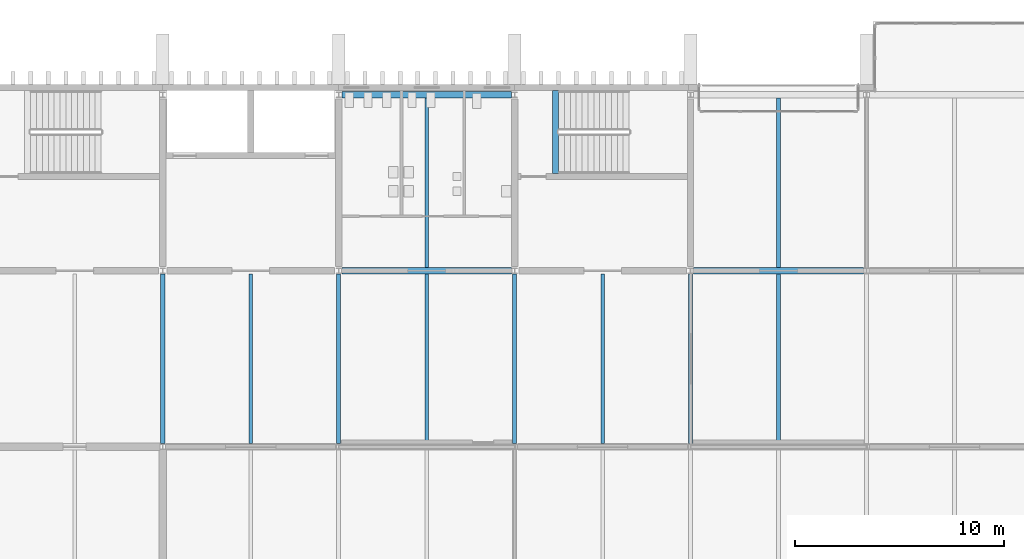
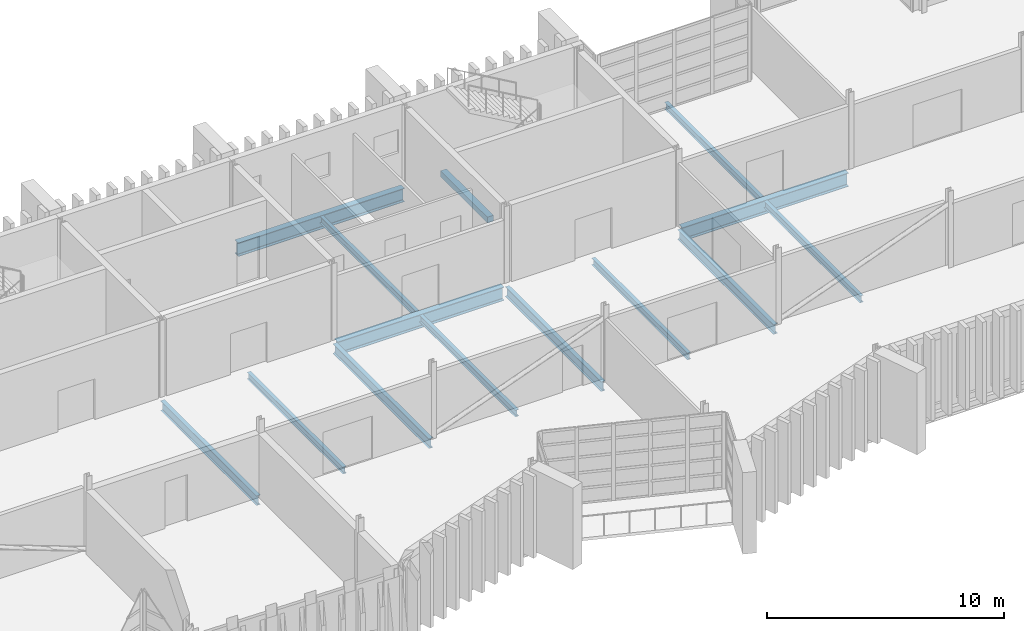
# One storey, part 20 of 88: 14 beams.
"""IFC4 building model written with IfcOpenShell, lengths in metres."""

from ifc_helpers import new_model, si_unit, direction, frame, origin, origin_2d, place, context, subcontext, project, spatial, rectangle, i_section, extrude, material, material_profile, profile_set, type_object, element, save


model = new_model("IFC4")

# Units and contexts
model_context = context("Model", 3, precision=1e-05, world=origin(), true_north=direction((0.0, 1.0)))
body_context = subcontext(model_context, "Body", "Model", "MODEL_VIEW")
ifc_project = project(units=[si_unit("LENGTHUNIT", "METRE"), si_unit("AREAUNIT", "SQUARE_METRE"), si_unit("VOLUMEUNIT", "CUBIC_METRE"), si_unit("PLANEANGLEUNIT", "RADIAN"), si_unit("MASSUNIT", "GRAM", prefix="KILO")], contexts=[model_context])

# Site, building, storey
site_placement = place(None, origin())
site = spatial("IfcSite", under=ifc_project, at=site_placement, CompositionType="ELEMENT")
building_placement = place(site_placement, origin())
building = spatial("IfcBuilding", under=site, at=building_placement, Name="Cresset Court Congress Hotel", CompositionType="ELEMENT")
storey_placement = place(building_placement, frame((0.0, 0.0, 14.39990234375)))
storey = spatial("IfcBuildingStorey", under=building, at=storey_placement, Name="L03", CompositionType="ELEMENT", Elevation=14.39990234375)

# Beams
ifc_material_1 = material(Name="Concrete C40", Category="concrete")
ifc_material_profile_1 = material_profile(ifc_material_1, rectangle(XDim=0.300048828125, YDim=0.300048828125, at=origin_2d()), Name="RC300x300")
ifc_profile_set_1 = profile_set([ifc_material_profile_1], Name="Concrete C40")
beam_type_1 = type_object("IfcBeamType", Name="Stair trimmer beam RC300x300", PredefinedType="BEAM", material=ifc_profile_set_1)
beam_1_placement = place(storey_placement, frame((60.75, 21.449951171875, -0.2998046875), z_axis=(0.0, 1.0, 0.0), x_axis=(-1.0, 0.0, 0.0)))
element("IfcBeam", 1, at=beam_1_placement, inside=storey, type_object=beam_type_1, Name="Trimmer beam ST-B3 L03", PredefinedType="BEAM", context=body_context, shape_type="SweptSolid", body=[
    extrude(rectangle(XDim=0.300048828125, YDim=0.300048828125, at=origin_2d()), origin(), (0.0, 0.0, 1.0), 3.949951171875),
])
ifc_material_2 = material(Name="Structural steel Q355B", Category="steel")
ifc_material_profile_2 = material_profile(ifc_material_2, i_section(OverallWidth=0.199951171875, OverallDepth=0.5, WebThickness=0.010009765625, FlangeThickness=0.01611328125, FilletRadius=0.012939453125, at=origin_2d()), Name="HN500x200x10x16")
ifc_profile_set_2 = profile_set([ifc_material_profile_2], Name="Structural steel Q355B")
beam_type_2 = type_object("IfcBeamType", Name="Steel beam HN500x200x10x16", PredefinedType="BEAM", material=ifc_profile_set_2)
for number, where, z_axis, x_axis, name in (
    (2, (42.0, 8.550048828125, -0.39990234375), (0.0, 1.0, 0.0), (-1.0, 0.0, 0.0), "B.by.L03.06B"),
    (3, (50.39990234375, 8.550048828125, -0.39990234375), (0.0, 1.0, 0.0), (-1.0, 0.0, 0.0), "B.by.L03.07B"),
    (4, (58.800048828125, 8.550048828125, -0.39990234375), (0.0, 1.0, 0.0), (-1.0, 0.0, 0.0), "B.by.L03.08B"),
    (5, (67.199951171875, 8.550048828125, -0.39990234375), (0.0, 1.0, 0.0), (-1.0, 0.0, 0.0), "B.by.L03.09B"),
):
    element("IfcBeam", number, at=place(storey_placement, frame(where, z_axis=z_axis, x_axis=x_axis)), inside=storey, type_object=beam_type_2, Name=name, PredefinedType="BEAM", context=body_context, shape_type="SweptSolid", body=[
        extrude(i_section(OverallWidth=0.199951171875, OverallDepth=0.5, WebThickness=0.010009765625, FlangeThickness=0.01611328125, FilletRadius=0.012939453125, at=origin_2d()), origin(), (0.0, 0.0, 1.0), 8.099853515625),
    ])
ifc_material_3 = material(Name="Structural steel Q355B", Category="steel")
ifc_material_profile_3 = material_profile(ifc_material_3, i_section(OverallWidth=0.300048828125, OverallDepth=0.699951171875, WebThickness=0.012939453125, FlangeThickness=0.02392578125, FilletRadius=0.01806640625, at=origin_2d()), Name="HN700x300x13x24")
ifc_profile_set_3 = profile_set([ifc_material_profile_3], Name="Structural steel Q355B")
beam_type_3 = type_object("IfcBeamType", Name="Steel beam HN700x300x13x24", PredefinedType="BEAM", material=ifc_profile_set_3)
for number, where, z_axis, x_axis, name in (
    (6, (50.550048828125, 16.800048828125, -0.5), (1.0, 0.0, 0.0), (0.0, 1.0, 0.0), "B.bx.L03.C07"),
    (7, (67.35009765625, 16.800048828125, -0.5), (1.0, 0.0, 0.0), (0.0, 1.0, 0.0), "B.bx.L03.C09"),
    (8, (50.550048828125, 25.199951171875, -0.5), (1.0, 0.0, 0.0), (0.0, 1.0, 0.0), "B.bx.L03.D07"),
):
    element("IfcBeam", number, at=place(storey_placement, frame(where, z_axis=z_axis, x_axis=x_axis)), inside=storey, type_object=beam_type_3, Name=name, PredefinedType="BEAM", context=body_context, shape_type="SweptSolid", body=[
        extrude(i_section(OverallWidth=0.300048828125, OverallDepth=0.699951171875, WebThickness=0.012939453125, FlangeThickness=0.02392578125, FilletRadius=0.01806640625, at=origin_2d()), origin(), (0.0, 0.0, 1.0), 8.099853515625),
    ])
ifc_material_4 = material(Name="Structural steel Q355B", Category="steel")
ifc_material_profile_4 = material_profile(ifc_material_4, i_section(OverallWidth=0.175048828125, OverallDepth=0.35009765625, WebThickness=0.007080078125, FlangeThickness=0.010986328125, FilletRadius=0.012939453125, at=origin_2d()), Name="HN350x175x7x11")
ifc_profile_set_4 = profile_set([ifc_material_profile_4], Name="Structural steel Q355B")
beam_type_4 = type_object("IfcBeamType", Name="Steel joist HN350x175x7x11", PredefinedType="JOIST", material=ifc_profile_set_4)
for number, where, z_axis, x_axis, name in (
    (9, (46.199951171875, 8.550048828125, -0.324951171875), (0.0, 1.0, 0.0), (-1.0, 0.0, 0.0), "B.bj.L03.06B"),
    (10, (54.60009765625, 8.550048828125, -0.324951171875), (0.0, 1.0, 0.0), (-1.0, 0.0, 0.0), "B.bj.L03.07B"),
):
    element("IfcBeam", number, at=place(storey_placement, frame(where, z_axis=z_axis, x_axis=x_axis)), inside=storey, type_object=beam_type_4, Name=name, PredefinedType="JOIST", context=body_context, shape_type="SweptSolid", body=[
        extrude(i_section(OverallWidth=0.175048828125, OverallDepth=0.35009765625, WebThickness=0.007080078125, FlangeThickness=0.010986328125, FilletRadius=0.012939453125, at=origin_2d()), origin(), (0.0, 0.0, 1.0), 8.099853515625),
    ])
beam_2_placement = place(storey_placement, frame((54.60009765625, 16.949951171875, -0.324951171875), z_axis=(0.0, 1.0, 0.0), x_axis=(-1.0, 0.0, 0.0)))
element("IfcBeam", 11, at=beam_2_placement, inside=storey, type_object=beam_type_4, Name="B.bj.L03.07C", PredefinedType="JOIST", context=body_context, shape_type="SweptSolid", body=[
    extrude(i_section(OverallWidth=0.175048828125, OverallDepth=0.35009765625, WebThickness=0.007080078125, FlangeThickness=0.010986328125, FilletRadius=0.012939453125, at=origin_2d()), origin(), (0.0, 0.0, 1.0), 8.10009765625),
])
for number, where, z_axis, x_axis, name in (
    (12, (63.0, 8.550048828125, -0.324951171875), (0.0, 1.0, 0.0), (-1.0, 0.0, 0.0), "B.bj.L03.08B"),
    (13, (71.39990234375, 8.550048828125, -0.324951171875), (0.0, 1.0, 0.0), (-1.0, 0.0, 0.0), "B.bj.L03.09B"),
):
    element("IfcBeam", number, at=place(storey_placement, frame(where, z_axis=z_axis, x_axis=x_axis)), inside=storey, type_object=beam_type_4, Name=name, PredefinedType="JOIST", context=body_context, shape_type="SweptSolid", body=[
        extrude(i_section(OverallWidth=0.175048828125, OverallDepth=0.35009765625, WebThickness=0.007080078125, FlangeThickness=0.010986328125, FilletRadius=0.012939453125, at=origin_2d()), origin(), (0.0, 0.0, 1.0), 8.099853515625),
    ])
beam_3_placement = place(storey_placement, frame((71.39990234375, 16.949951171875, -0.324951171875), z_axis=(0.0, 1.0, 0.0), x_axis=(-1.0, 0.0, 0.0)))
element("IfcBeam", 14, at=beam_3_placement, inside=storey, type_object=beam_type_4, Name="B.bj.L03.09C", PredefinedType="JOIST", context=body_context, shape_type="SweptSolid", body=[
    extrude(i_section(OverallWidth=0.175048828125, OverallDepth=0.35009765625, WebThickness=0.007080078125, FlangeThickness=0.010986328125, FilletRadius=0.012939453125, at=origin_2d()), origin(), (0.0, 0.0, 1.0), 8.10009765625),
])

save(model, "model.ifc")
